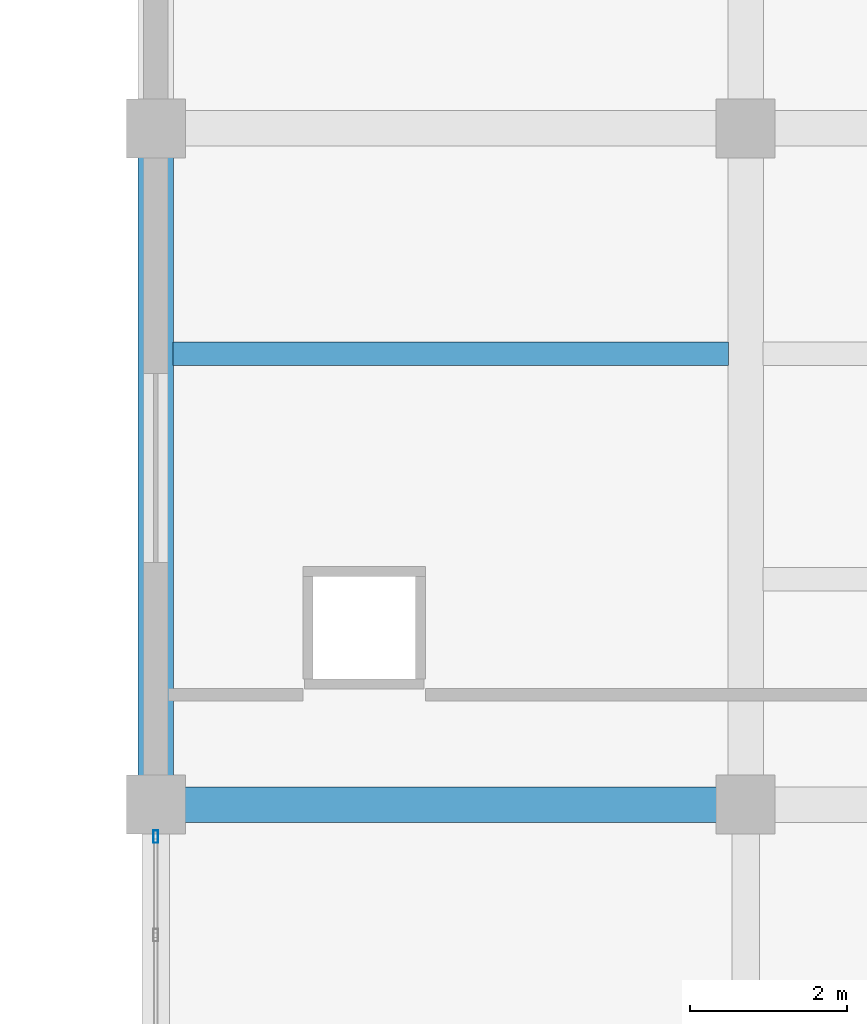
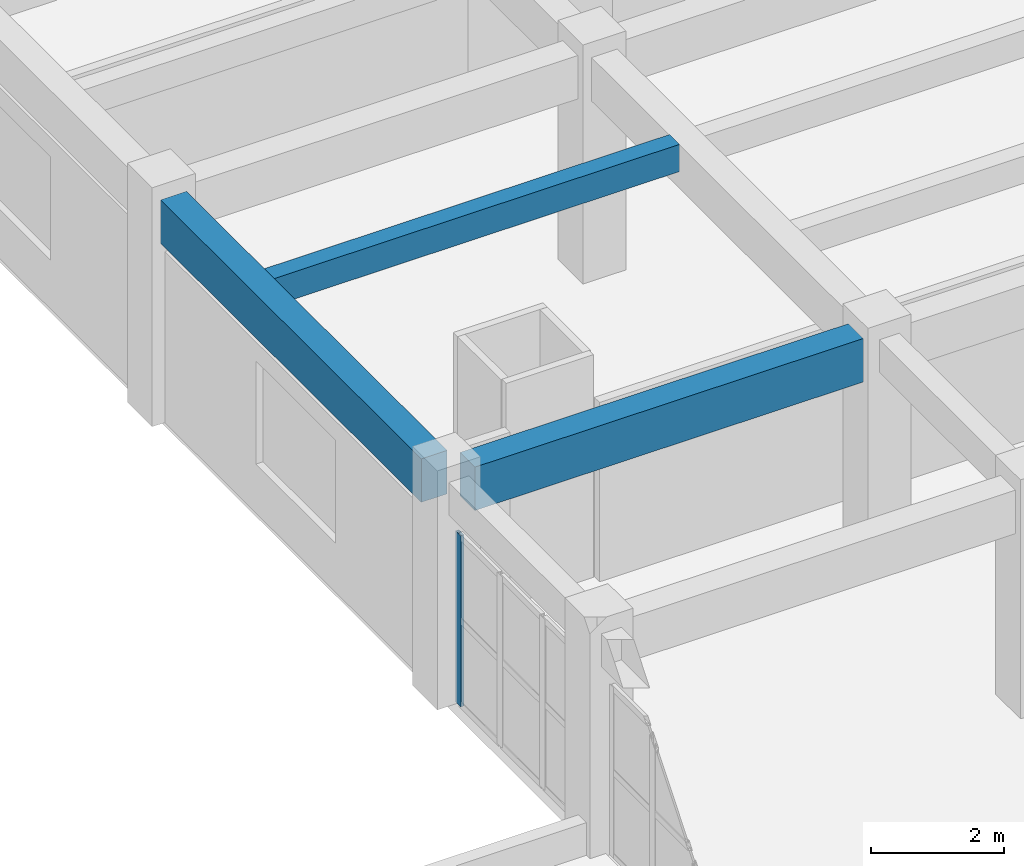
# One storey, part 31 of 90: 3 beams, 1 member, 1 element without a shape of its own.
"""IFC4 building model written with IfcOpenShell, lengths in metres."""

from ifc_helpers import new_model, si_unit, direction, frame, origin, origin_2d, place, context, subcontext, project, spatial, rectangle, hollow_rectangle, extrude, material, layer, layer_set, material_profile, profile_set, type_object, element, aggregate, save


model = new_model("IFC4")

# Units and contexts
model_context = context("Model", 3, precision=1e-05, world=origin(), true_north=direction((0.0, 1.0)))
body_context = subcontext(model_context, "Body", "Model", "MODEL_VIEW")
ifc_project = project(units=[si_unit("LENGTHUNIT", "METRE"), si_unit("AREAUNIT", "SQUARE_METRE"), si_unit("VOLUMEUNIT", "CUBIC_METRE"), si_unit("PLANEANGLEUNIT", "RADIAN"), si_unit("MASSUNIT", "GRAM", prefix="KILO")], contexts=[model_context])

# Site, building, storey
site_placement = place(None, origin())
site = spatial("IfcSite", under=ifc_project, at=site_placement, CompositionType="ELEMENT")
building_placement = place(site_placement, origin())
building = spatial("IfcBuilding", under=site, at=building_placement, Name="Muzn Square Opera House", CompositionType="ELEMENT")
storey_placement = place(building_placement, frame((0.0, 0.0, 9.800048828125)))
storey = spatial("IfcBuildingStorey", under=building, at=storey_placement, Name="L02", CompositionType="ELEMENT", Elevation=9.800048828125)

# Curtain wall, member
ifc_material_1 = material(Name="Low-E laminated acoustic double glazing", Category="glass")
ifc_layer = layer(ifc_material_1, 0.159912109375, Name="Low-E laminated acoustic double glazing", Category="glass")
ifc_layer_set = layer_set([ifc_layer], Name="Low-E laminated acoustic double glazing")
curtain_wall_type = type_object("IfcCurtainWallType", Name="Glazed Curtain Wall WestCourt 3850x3150", PredefinedType="USERDEFINED", material=ifc_layer_set)
curtain_wall_placement = place(storey_placement, origin())
curtain_wall = element("IfcCurtainWall", 1, at=curtain_wall_placement, inside=storey, type_object=curtain_wall_type, Name="Glazed Curtain Wall CW-L02-151", ObjectType="GLAZED CURTAIN WALL", PredefinedType="USERDEFINED")
ifc_material_2 = material(Name="Anodised bronze aluminium 6063-T6", Category="metal")
ifc_material_profile_1 = material_profile(ifc_material_2, hollow_rectangle(XDim=0.06005859375, YDim=0.159912109375, WallThickness=0.00390625, at=origin_2d()), Name="ALU 160x60x4", Category="metal")
ifc_profile_set_1 = profile_set([ifc_material_profile_1], Name="Anodised bronze aluminium 6063-T6")
member_type = type_object("IfcMemberType", Name="Curtain Wall Mullion 160x60", PredefinedType="MULLION", material=ifc_profile_set_1)
member_placement = place(storey_placement, frame((19.0, 72.195068359375, 0.0), z_axis=(0.0, 0.0, 1.0), x_axis=(-1.0, 0.0, 0.0)))
member = element("IfcMember", 2, at=member_placement, type_object=member_type, Name="CW-WCT-38x31 mullion 4", PredefinedType="MULLION", context=body_context, shape_type="SweptSolid", body=[
    extrude(hollow_rectangle(XDim=0.06005859375, YDim=0.159912109375, WallThickness=0.00390625, at=origin_2d()), origin(), (0.0, 0.0, 1.0), 3.14990234375),
])
aggregate(curtain_wall, [member])

# Beams
ifc_material_3 = material(Name="Concrete C40/50", Category="concrete")
ifc_material_profile_2 = material_profile(ifc_material_3, rectangle(XDim=0.300048828125, YDim=0.5, at=origin_2d()), Name="RCJ 300x500", Category="concrete")
ifc_profile_set_2 = profile_set([ifc_material_profile_2], Name="Concrete C40/50")
beam_type_1 = type_object("IfcBeamType", Name="Floor Joist 300x500", PredefinedType="JOIST", material=ifc_profile_set_2)
beam_1_placement = place(storey_placement, frame((19.217041015625, 78.333251953125, 3.869873046875), z_axis=(1.0, 0.0, 0.0), x_axis=(0.0, 1.0, 0.0)))
element("IfcBeam", 3, at=beam_1_placement, inside=storey, type_object=beam_type_1, Name="Floor Joist BM-L02-BM-J500-192_783_263_783-2296", PredefinedType="JOIST", context=body_context, shape_type="SweptSolid", body=[
    extrude(rectangle(XDim=0.300048828125, YDim=0.5, at=origin_2d()), origin(), (0.0, 0.0, 1.0), 7.06591796875),
])
ifc_material_profile_3 = material_profile(ifc_material_3, rectangle(XDim=0.449951171875, YDim=0.800048828125, at=origin_2d()), Name="RCB 450x800", Category="concrete")
ifc_profile_set_3 = profile_set([ifc_material_profile_3], Name="Concrete C40/50")
beam_type_2 = type_object("IfcBeamType", Name="Primary Girder 450x800", PredefinedType="BEAM", material=ifc_profile_set_3)
beam_2_placement = place(storey_placement, frame((19.366943359375, 72.60009765625, 3.719970703125), z_axis=(1.0, 0.0, 0.0), x_axis=(0.0, 1.0, 0.0)))
element("IfcBeam", 4, at=beam_2_placement, inside=storey, type_object=beam_type_2, Name="Primary Girder BM-L02-BM-PG800-194_726_261_726-2049", PredefinedType="BEAM", context=body_context, shape_type="SweptSolid", body=[
    extrude(rectangle(XDim=0.449951171875, YDim=0.800048828125, at=origin_2d()), origin(), (0.0, 0.0, 1.0), 6.76611328125),
])
beam_3_placement = place(storey_placement, frame((19.0, 72.967041015625, 3.719970703125), z_axis=(0.0, 1.0, 0.0), x_axis=(-1.0, 0.0, 0.0)))
element("IfcBeam", 5, at=beam_3_placement, inside=storey, type_object=beam_type_2, Name="Primary Girder BM-L02-BM-PG800-190_730_190_808-2128", PredefinedType="BEAM", context=body_context, shape_type="SweptSolid", body=[
    extrude(rectangle(XDim=0.449951171875, YDim=0.800048828125, at=origin_2d()), origin(), (0.0, 0.0, 1.0), 7.865966796875),
])

save(model, "model.ifc")
